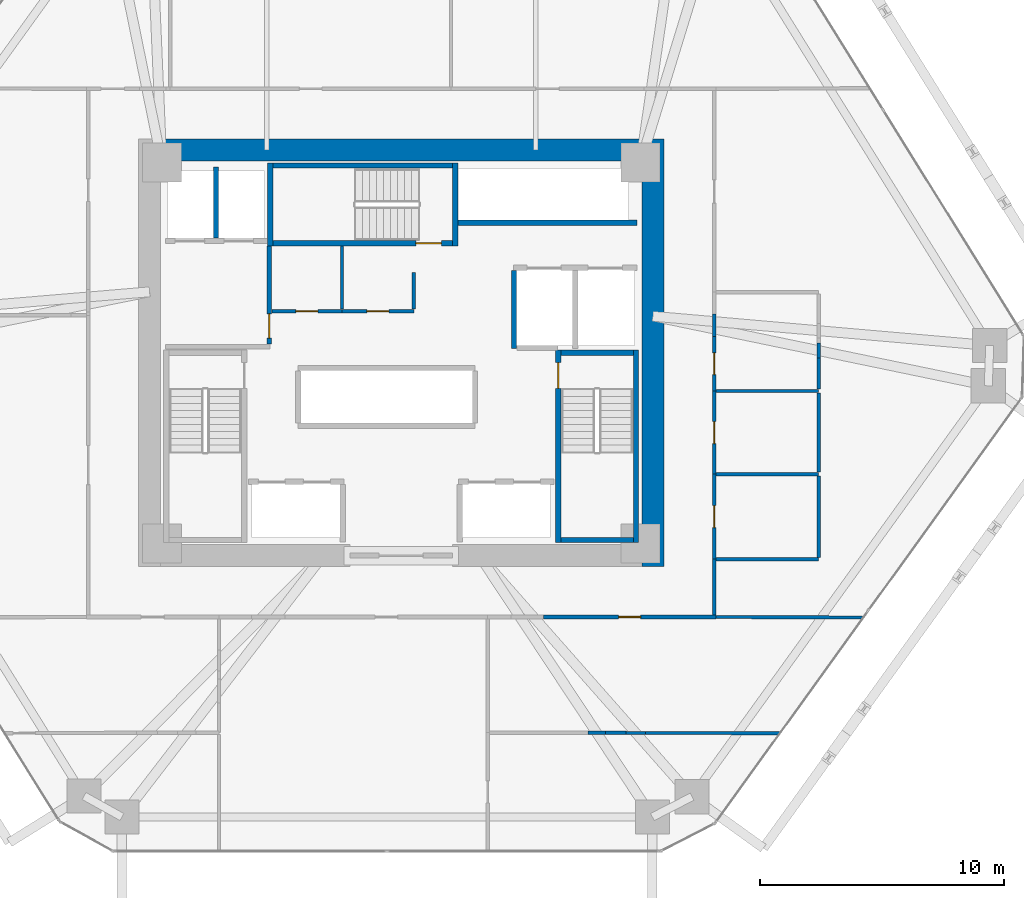
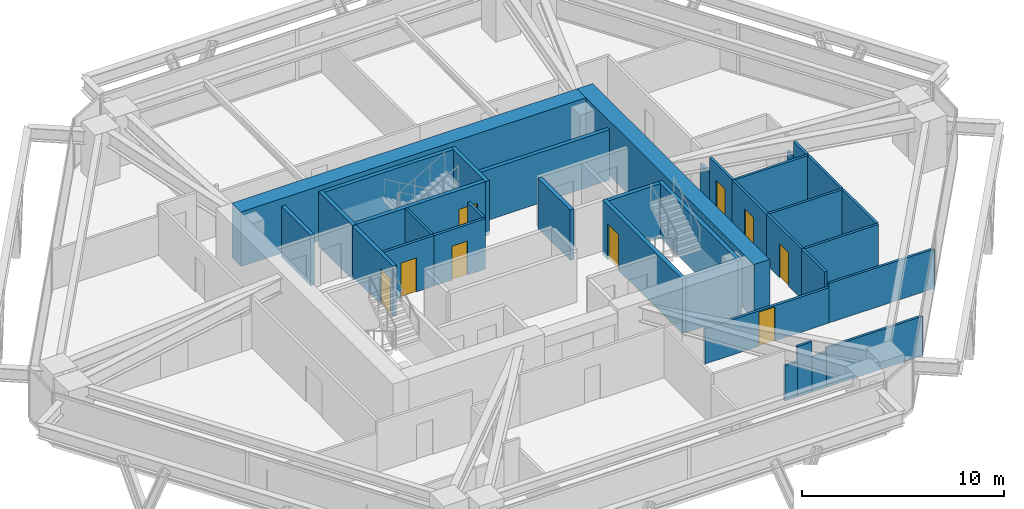
# One storey, part 12 of 14: 36 walls, 9 doors, 9 openings.
"""IFC4 building model written with IfcOpenShell, lengths in metres."""

from ifc_helpers import new_model, si_unit, direction, frame, frame_2d, origin, place, context, subcontext, project, spatial, rectangle, extrude, source, transform, mapped, material, layer, layer_set, type_object, type_shapes, element, fill, save


model = new_model("IFC4")

# Units and contexts
model_context = context("Model", 3, precision=1e-05, world=origin(), true_north=direction((0.0, 1.0)))
body_context = subcontext(model_context, "Body", "Model", "MODEL_VIEW")
ifc_project = project(units=[si_unit("LENGTHUNIT", "METRE"), si_unit("AREAUNIT", "SQUARE_METRE"), si_unit("VOLUMEUNIT", "CUBIC_METRE"), si_unit("PLANEANGLEUNIT", "RADIAN"), si_unit("MASSUNIT", "GRAM", prefix="KILO")], contexts=[model_context])

# Site, building, storey
site_placement = place(None, origin())
site = spatial("IfcSite", under=ifc_project, at=site_placement, CompositionType="ELEMENT")
building_placement = place(site_placement, origin())
building = spatial("IfcBuilding", under=site, at=building_placement, Name="Durnholm Broadcast Tower", CompositionType="ELEMENT")
storey_placement = place(building_placement, frame((0.0, 0.0, 48.89990234375)))
storey = spatial("IfcBuildingStorey", under=building, at=storey_placement, Name="L11", CompositionType="ELEMENT", Elevation=48.89990234375)

# Walls
ifc_material_1 = material(Name="Concrete C70/85", Category="concrete")
ifc_layer_1 = layer(ifc_material_1, 0.89990234375)
ifc_layer_set_1 = layer_set([ifc_layer_1], Name="Concrete C70/85")
wall_type_1 = type_object("IfcWallType", Name="WALL-CW-900", PredefinedType="SHEAR", material=ifc_layer_set_1)
wall_1_placement = place(storey_placement, frame((10.300048828125, -8.75, 0.0), z_axis=(0.0, 0.0, 1.0), x_axis=(0.0, 1.0, 0.0)))
element("IfcWall", 1, at=wall_1_placement, inside=storey, type_object=wall_type_1, Name="L11 central core shear wall CW-EAST", PredefinedType="SHEAR", context=body_context, shape_type="SweptSolid", body=[
    extrude(rectangle(XDim=17.5, YDim=0.89990234375, at=frame_2d((8.75, 0.0))), origin(), (0.0, 0.0, 1.0), 3.300048828125),
])
wall_2_placement = place(storey_placement, frame((-9.85009765625, 8.300048828125, 0.0), z_axis=(0.0, 0.0, 1.0), x_axis=(1.0, 0.0, 0.0)))
element("IfcWall", 2, at=wall_2_placement, inside=storey, type_object=wall_type_1, Name="L11 central core shear wall CW-N", PredefinedType="SHEAR", context=body_context, shape_type="SweptSolid", body=[
    extrude(rectangle(XDim=19.7001953125, YDim=0.89990234375, at=frame_2d((9.85009765625, 0.0))), origin(), (0.0, 0.0, 1.0), 3.300048828125),
])

# Wall, opening, door
ifc_material_2 = material(Name="Fire-Rated Gypsum Shaftwall", Category="concrete")
ifc_layer_2 = layer(ifc_material_2, 0.199951171875)
ifc_layer_set_2 = layer_set([ifc_layer_2], Name="Fire-Rated Gypsum Shaftwall")
wall_type_2 = type_object("IfcWallType", Name="WALL-LOB-200", PredefinedType="SOLIDWALL", material=ifc_layer_set_2)
wall_3_placement = place(storey_placement, frame((-5.39990234375, 0.35400390625, 0.0), z_axis=(0.0, 0.0, 1.0), x_axis=(0.0, 1.0, 0.0)))
wall_3 = element("IfcWall", 3, at=wall_3_placement, inside=storey, type_object=wall_type_2, Name="L11 Fire Service Access Elevator lobby east fire wall", PredefinedType="SOLIDWALL", context=body_context, shape_type="SweptSolid", body=[
    extrude(rectangle(XDim=4.02587890625, YDim=0.199951171875, at=frame_2d((2.012939453125, 0.0))), origin(), (0.0, 0.0, 1.0), 3.045166015625),
])
opening_1_placement = place(wall_3_placement, frame((0.24609375, 0.0, 0.0)))
opening_1 = element("IfcOpeningElement", 4, at=opening_1_placement, cuts=wall_3, Name="Opening DL-60R", PredefinedType="OPENING", context=body_context, shape_type="SweptSolid", body=[
    extrude(rectangle(XDim=1.0, YDim=2.14990234375, at=frame_2d((0.5, 1.074951171875))), frame((0.0, 0.10986328125, 0.0), z_axis=(0.0, -1.0, 0.0), x_axis=(1.0, 0.0, 0.0)), (0.0, 0.0, 1.0), 0.219970703125),
])
ifc_material_3 = material(Name="Fire-Rated Timber/Steel Door", Category="steel")
ifc_layer_3 = layer(ifc_material_3, 0.050048828125)
ifc_layer_set_3 = layer_set([ifc_layer_3], Name="Fire-Rated Timber/Steel Door")
door_type_1 = type_object("IfcDoorType", Name="DOOR-LOB-FD60-R", OperationType="NOTDEFINED", PredefinedType="DOOR", material=ifc_layer_set_3)
shared_shape_1 = source(origin(), body_context, "Body", "SweptSolid", [
    extrude(rectangle(XDim=1.0, YDim=2.14990234375, at=frame_2d((0.5, 1.074951171875))), frame((0.0, 0.02490234375, 0.0), z_axis=(0.0, -1.0, 0.0), x_axis=(1.0, 0.0, 0.0)), (0.0, 0.0, 1.0), 0.050048828125),
])
type_shapes(door_type_1, [shared_shape_1])
door_1_placement = place(opening_1_placement, origin())
door_1 = element("IfcDoor", 5, at=door_1_placement, inside=storey, type_object=door_type_1, Name="L11 Fire Service Access Elevator lobby smoke door", OperationType="SINGLE_SWING_RIGHT", OverallHeight=2.14990234375, OverallWidth=1.0, PredefinedType="DOOR", context=body_context, shape_type="MappedRepresentation", body=[
    mapped(shared_shape_1, transform((0.0, 0.0, 0.0), x_axis=(1.0, 0.0, 0.0), y_axis=(0.0, 1.0, 0.0), z_axis=(0.0, 0.0, 1.0), scale=1.0)),
])
fill(opening_1, door_1)

# Walls
ifc_material_4 = material(Name="Gypsum Metal Stud Partition", Category="concrete")
ifc_layer_4 = layer(ifc_material_4, 0.135009765625)
ifc_layer_set_4 = layer_set([ifc_layer_4], Name="Gypsum Metal Stud Partition")
wall_type_3 = type_object("IfcWallType", Name="WALL-PART-135", PredefinedType="PARTITIONING", material=ifc_layer_set_4)
wall_4_placement = place(storey_placement, frame((-2.419921875, 4.375, 0.0), z_axis=(0.0, 0.0, 1.0), x_axis=(0.0, -1.0, 0.0)))
element("IfcWall", 6, at=wall_4_placement, inside=storey, type_object=wall_type_3, Name="L11 room dividing partition 1.2", PredefinedType="PARTITIONING", context=body_context, shape_type="SweptSolid", body=[
    extrude(rectangle(XDim=2.5859375, YDim=0.135009765625, at=frame_2d((1.29296875, 0.0))), origin(), (0.0, 0.0, 1.0), 3.045166015625),
])
wall_5_placement = place(storey_placement, frame((8.3642578125, -15.554443359375, 0.0), z_axis=(0.0, 0.0, 1.0), x_axis=(0.999997907793, -0.002045583096, 0.0)))
element("IfcWall", 7, at=wall_5_placement, inside=storey, type_object=wall_type_3, Name="L11 room dividing partition 12.13", PredefinedType="PARTITIONING", context=body_context, shape_type="SweptSolid", body=[
    extrude(rectangle(XDim=0.83544921875, YDim=0.135009765625, at=frame_2d((0.417724609375, 0.0))), origin(), (0.0, 0.0, 1.0), 3.045166015625),
])
wall_6_placement = place(storey_placement, frame((10.006591796875, -15.5576171875, 0.0), z_axis=(0.0, 0.0, 1.0), x_axis=(0.999998093672, -0.00195260123, 0.0)))
element("IfcWall", 8, at=wall_6_placement, inside=storey, type_object=wall_type_3, Name="L11 room dividing partition 12.13", PredefinedType="PARTITIONING", context=body_context, shape_type="SweptSolid", body=[
    extrude(rectangle(XDim=5.50146484375, YDim=0.135009765625, at=frame_2d((2.750732421875, 0.0))), origin(), (0.0, 0.0, 1.0), 2.380126953125),
])
wall_7_placement = place(storey_placement, frame((7.638916015625, -15.552978515625, 0.0), z_axis=(0.0, 0.0, 1.0), x_axis=(0.999997960772, -0.002019517928, 0.0)))
element("IfcWall", 9, at=wall_7_placement, inside=storey, type_object=wall_type_3, Name="L11 room dividing partition 12.13", PredefinedType="PARTITIONING", context=body_context, shape_type="SweptSolid", body=[
    extrude(rectangle(XDim=0.725341796875, YDim=0.135009765625, at=frame_2d((0.36279296875, 0.0))), origin(), (0.0, 0.0, 1.0), 2.130126953125),
])
wall_8_placement = place(storey_placement, frame((9.19970703125, -15.55615234375, 0.0), z_axis=(0.0, 0.0, 1.0), x_axis=(0.999998352109, -0.001815428173, 0.0)))
element("IfcWall", 10, at=wall_8_placement, inside=storey, type_object=wall_type_3, Name="L11 room dividing partition 12.13", PredefinedType="PARTITIONING", context=body_context, shape_type="SweptSolid", body=[
    extrude(rectangle(XDim=0.806884765625, YDim=0.135009765625, at=frame_2d((0.4033203125, 0.0))), origin(), (0.0, 0.0, 1.0), 2.130126953125),
])
wall_9_placement = place(storey_placement, frame((12.889892578125, -10.810302734375, 0.0), z_axis=(0.0, 0.0, 1.0), x_axis=(0.999992607823, -0.003845035728, 0.0)))
element("IfcWall", 11, at=wall_9_placement, inside=storey, type_object=wall_type_3, Name="L11 room dividing partition 13.16", PredefinedType="PARTITIONING", context=body_context, shape_type="SweptSolid", body=[
    extrude(rectangle(XDim=6.031982421875, YDim=0.135009765625, at=frame_2d((3.01611328125, 0.0))), origin(), (0.0, 0.0, 1.0), 2.380126953125),
])

# Wall, opening, door
ifc_material_5 = material(Name="Acoustic Gypsum Stud Partition", Category="concrete")
ifc_layer_5 = layer(ifc_material_5, 0.14990234375)
ifc_layer_set_5 = layer_set([ifc_layer_5], Name="Acoustic Gypsum Stud Partition")
wall_type_4 = type_object("IfcWallType", Name="WALL-PART-150", PredefinedType="PARTITIONING", material=ifc_layer_set_5)
wall_10_placement = place(storey_placement, frame((-2.419921875, 1.7099609375, 0.0), z_axis=(0.0, 0.0, 1.0), x_axis=(-1.0, 0.0, 0.0)))
wall_10 = element("IfcWall", 12, at=wall_10_placement, inside=storey, type_object=wall_type_4, Name="L11 Core Equipment Store corridor partition", PredefinedType="PARTITIONING", context=body_context, shape_type="SweptSolid", body=[
    extrude(rectangle(XDim=2.8759765625, YDim=0.14990234375, at=frame_2d((1.43798828125, 0.0))), origin(), (0.0, 0.0, 1.0), 3.045166015625),
])
opening_2_placement = place(wall_10_placement, frame((0.988037109375, 0.0, 0.0)))
opening_2 = element("IfcOpeningElement", 13, at=opening_2_placement, cuts=wall_10, Name="Opening DC-60R", PredefinedType="OPENING", context=body_context, shape_type="SweptSolid", body=[
    extrude(rectangle(XDim=0.89990234375, YDim=2.050048828125, at=frame_2d((0.449951171875, 1.02490234375))), frame((0.0, 0.0849609375, 0.0), z_axis=(0.0, -1.0, 0.0), x_axis=(1.0, 0.0, 0.0)), (0.0, 0.0, 1.0), 0.169921875),
])
ifc_material_6 = material(Name="Fire-Rated Core Service Door", Category="steel")
ifc_layer_6 = layer(ifc_material_6, 0.050048828125)
ifc_layer_set_6 = layer_set([ifc_layer_6], Name="Fire-Rated Core Service Door")
door_type_2 = type_object("IfcDoorType", Name="DOOR-CORE-FD60-R", OperationType="NOTDEFINED", PredefinedType="DOOR", material=ifc_layer_set_6)
shared_shape_2 = source(origin(), body_context, "Body", "SweptSolid", [
    extrude(rectangle(XDim=0.89990234375, YDim=2.050048828125, at=frame_2d((0.449951171875, 1.02490234375))), frame((0.0, 0.02490234375, 0.0), z_axis=(0.0, -1.0, 0.0), x_axis=(1.0, 0.0, 0.0)), (0.0, 0.0, 1.0), 0.050048828125),
])
type_shapes(door_type_2, [shared_shape_2])
door_2_placement = place(opening_2_placement, origin())
door_2 = element("IfcDoor", 14, at=door_2_placement, inside=storey, type_object=door_type_2, Name="L11 Core Equipment Store entrance door", OperationType="SINGLE_SWING_RIGHT", OverallHeight=2.050048828125, OverallWidth=0.89990234375, PredefinedType="DOOR", context=body_context, shape_type="MappedRepresentation", body=[
    mapped(shared_shape_2, transform((0.0, 0.0, 0.0), x_axis=(1.0, 0.0, 0.0), y_axis=(0.0, 1.0, 0.0), z_axis=(0.0, 0.0, 1.0), scale=1.0)),
])
fill(opening_2, door_2)

wall_11_placement = place(storey_placement, frame((0.52001953125, 1.7099609375, 0.0), z_axis=(0.0, 0.0, 1.0), x_axis=(-1.0, 0.0, 0.0)))
wall_11 = element("IfcWall", 15, at=wall_11_placement, inside=storey, type_object=wall_type_4, Name="L11 Core Mail and Supply Room corridor partition", PredefinedType="PARTITIONING", context=body_context, shape_type="SweptSolid", body=[
    extrude(rectangle(XDim=2.93994140625, YDim=0.14990234375, at=frame_2d((1.469970703125, 0.0))), origin(), (0.0, 0.0, 1.0), 3.045166015625),
])
opening_3_placement = place(wall_11_placement, frame((1.02001953125, 0.0, 0.0)))
opening_3 = element("IfcOpeningElement", 16, at=opening_3_placement, cuts=wall_11, Name="Opening DC-60L", PredefinedType="OPENING", context=body_context, shape_type="SweptSolid", body=[
    extrude(rectangle(XDim=0.89990234375, YDim=2.050048828125, at=frame_2d((0.449951171875, 1.02490234375))), frame((0.0, 0.0849609375, 0.0), z_axis=(0.0, -1.0, 0.0), x_axis=(1.0, 0.0, 0.0)), (0.0, 0.0, 1.0), 0.169921875),
])
ifc_layer_7 = layer(ifc_material_6, 0.050048828125)
ifc_layer_set_7 = layer_set([ifc_layer_7], Name="Fire-Rated Core Service Door")
door_type_3 = type_object("IfcDoorType", Name="DOOR-CORE-FD60-L", OperationType="NOTDEFINED", PredefinedType="DOOR", material=ifc_layer_set_7)
shared_shape_3 = source(origin(), body_context, "Body", "SweptSolid", [
    extrude(rectangle(XDim=0.89990234375, YDim=2.050048828125, at=frame_2d((0.449951171875, 1.02490234375))), frame((0.0, 0.02490234375, 0.0), z_axis=(0.0, -1.0, 0.0), x_axis=(1.0, 0.0, 0.0)), (0.0, 0.0, 1.0), 0.050048828125),
])
type_shapes(door_type_3, [shared_shape_3])
door_3_placement = place(opening_3_placement, origin())
door_3 = element("IfcDoor", 17, at=door_3_placement, inside=storey, type_object=door_type_3, Name="L11 Core Mail and Supply Room entrance door", OperationType="SINGLE_SWING_LEFT", OverallHeight=2.050048828125, OverallWidth=0.89990234375, PredefinedType="DOOR", context=body_context, shape_type="MappedRepresentation", body=[
    mapped(shared_shape_3, transform((0.0, 0.0, 0.0), x_axis=(1.0, 0.0, 0.0), y_axis=(0.0, 1.0, 0.0), z_axis=(0.0, 0.0, 1.0), scale=1.0)),
])
fill(opening_3, door_3)

# Wall
wall_12_placement = place(storey_placement, frame((0.52001953125, 3.300048828125, 0.0), z_axis=(0.0, 0.0, 1.0), x_axis=(0.0, -1.0, 0.0)))
element("IfcWall", 18, at=wall_12_placement, inside=storey, type_object=wall_type_4, Name="L11 Core Mail and Supply Room corridor partition", PredefinedType="PARTITIONING", context=body_context, shape_type="SweptSolid", body=[
    extrude(rectangle(XDim=1.510986328125, YDim=0.14990234375, at=frame_2d((0.75537109375, 0.0))), origin(), (0.0, 0.0, 1.0), 3.045166015625),
])

# Wall, opening, door
wall_13_placement = place(storey_placement, frame((5.8173828125, -10.81005859375, 0.0), z_axis=(0.0, 0.0, 1.0), x_axis=(1.0, 0.0, 0.0)))
wall_13 = element("IfcWall", 19, at=wall_13_placement, inside=storey, type_object=wall_type_4, Name="L11 Equipment Store corridor partition", PredefinedType="PARTITIONING", context=body_context, shape_type="SweptSolid", body=[
    extrude(rectangle(XDim=7.072509765625, YDim=0.14990234375, at=frame_2d((3.5361328125, 0.0))), origin(), (0.0, 0.0, 1.0), 2.130126953125),
])
opening_4_placement = place(wall_13_placement, frame((3.086181640625, 0.0, 0.0)))
opening_4 = element("IfcOpeningElement", 20, at=opening_4_placement, cuts=wall_13, Name="Opening DC-60L", PredefinedType="OPENING", context=body_context, shape_type="SweptSolid", body=[
    extrude(rectangle(XDim=0.89990234375, YDim=2.050048828125, at=frame_2d((0.449951171875, 1.02490234375))), frame((0.0, 0.0849609375, 0.0), z_axis=(0.0, -1.0, 0.0), x_axis=(1.0, 0.0, 0.0)), (0.0, 0.0, 1.0), 0.169921875),
])
door_4_placement = place(opening_4_placement, origin())
door_4 = element("IfcDoor", 21, at=door_4_placement, inside=storey, type_object=door_type_3, Name="L11 Equipment Store entrance door", OperationType="SINGLE_SWING_LEFT", OverallHeight=2.050048828125, OverallWidth=0.89990234375, PredefinedType="DOOR", context=body_context, shape_type="MappedRepresentation", body=[
    mapped(shared_shape_3, transform((0.0, 0.0, 0.0), x_axis=(1.0, 0.0, 0.0), y_axis=(0.0, 1.0, 0.0), z_axis=(0.0, 0.0, 1.0), scale=1.0)),
])
fill(opening_4, door_4)

# Walls
wall_14_placement = place(storey_placement, frame((12.81005859375, -10.73095703125, 0.0), z_axis=(0.0, 0.0, 1.0), x_axis=(0.0, 1.0, 0.0)))
element("IfcWall", 22, at=wall_14_placement, inside=storey, type_object=wall_type_4, Name="L11 Production Meeting Room corridor partition", PredefinedType="PARTITIONING", context=body_context, shape_type="SweptSolid", body=[
    extrude(rectangle(XDim=2.291015625, YDim=0.14990234375, at=frame_2d((1.1455078125, 0.0))), origin(), (0.0, 0.0, 1.0), 3.045166015625),
])
ifc_material_7 = material(Name="Concrete Blockwork C30/37", Category="masonry")
ifc_layer_8 = layer(ifc_material_7, 0.219970703125)
ifc_layer_set_8 = layer_set([ifc_layer_8], Name="Concrete Blockwork C30/37")
wall_type_5 = type_object("IfcWallType", Name="WALL-SHAFT-220", PredefinedType="SOLIDWALL", material=ifc_layer_set_8)
wall_15_placement = place(storey_placement, frame((-7.580078125, 4.694091796875, 0.0), z_axis=(0.0, 0.0, 1.0), x_axis=(0.0, 1.0, 0.0)))
element("IfcWall", 23, at=wall_15_placement, inside=storey, type_object=wall_type_5, Name="L11 FSAE shaft divider wall", PredefinedType="SOLIDWALL", context=body_context, shape_type="SweptSolid", body=[
    extrude(rectangle(XDim=2.906005859375, YDim=0.219970703125, at=frame_2d((1.453125, 0.0))), origin(), (0.0, 0.0, 1.0), 3.045166015625),
])
wall_16_placement = place(storey_placement, frame((4.6201171875, 0.179931640625, 0.0), z_axis=(0.0, 0.0, 1.0), x_axis=(0.0, 1.0, 0.0)))
element("IfcWall", 24, at=wall_16_placement, inside=storey, type_object=wall_type_5, Name="L11 freight service lift SVL-2 west wall", PredefinedType="SOLIDWALL", context=body_context, shape_type="SweptSolid", body=[
    extrude(rectangle(XDim=3.18603515625, YDim=0.219970703125, at=frame_2d((1.593017578125, 0.0))), origin(), (0.0, 0.0, 1.0), 3.045166015625),
])
wall_17_placement = place(storey_placement, frame((2.324951171875, 5.320068359375, 0.0), z_axis=(0.0, 0.0, 1.0), x_axis=(1.0, 0.0, 0.0)))
element("IfcWall", 25, at=wall_17_placement, inside=storey, type_object=wall_type_5, Name="L11 high-rise bank P3 south front wall", PredefinedType="SOLIDWALL", context=body_context, shape_type="SweptSolid", body=[
    extrude(rectangle(XDim=7.324951171875, YDim=0.219970703125, at=frame_2d((3.66259765625, 0.0))), origin(), (0.0, 0.0, 1.0), 3.045166015625),
])
ifc_material_8 = material(Name="Concrete C50/60", Category="concrete")
ifc_layer_9 = layer(ifc_material_8, 0.219970703125)
ifc_layer_set_9 = layer_set([ifc_layer_9], Name="Concrete C50/60")
wall_type_6 = type_object("IfcWallType", Name="WALL-SW-220", PredefinedType="SHEAR", material=ifc_layer_set_9)
wall_18_placement = place(storey_placement, frame((9.610107421875, -7.77001953125, -0.239990234375), z_axis=(0.0, 0.0, 1.0), x_axis=(0.0, 1.0, 0.0)))
element("IfcWall", 26, at=wall_18_placement, inside=storey, type_object=wall_type_6, Name="L11 stair ST-2 structural shaft wall E", PredefinedType="SHEAR", context=body_context, shape_type="SweptSolid", body=[
    extrude(rectangle(XDim=7.89013671875, YDim=0.219970703125, at=frame_2d((3.945068359375, 0.0))), origin(), (0.0, 0.0, 1.0), 3.300048828125),
])

# Wall, opening, door
wall_19_placement = place(storey_placement, frame((6.429931640625, 0.1201171875, -0.239990234375), z_axis=(0.0, 0.0, 1.0), x_axis=(0.0, -1.0, 0.0)))
wall_19 = element("IfcWall", 27, at=wall_19_placement, inside=storey, type_object=wall_type_6, Name="L11 stair ST-2 structural shaft wall W", PredefinedType="SHEAR", context=body_context, shape_type="SweptSolid", body=[
    extrude(rectangle(XDim=7.89013671875, YDim=0.219970703125, at=frame_2d((3.945068359375, 0.0))), origin(), (0.0, 0.0, 1.0), 3.300048828125),
])
opening_5_placement = place(wall_19_placement, frame((0.52001953125, 0.0, 0.0)))
opening_5 = element("IfcOpeningElement", 28, at=opening_5_placement, cuts=wall_19, Name="Opening DS-90R", PredefinedType="OPENING", context=body_context, shape_type="SweptSolid", body=[
    extrude(rectangle(XDim=1.050048828125, YDim=2.14990234375, at=frame_2d((0.52490234375, 1.074951171875))), frame((0.0, 0.1201171875, 0.0), z_axis=(0.0, -1.0, 0.0), x_axis=(1.0, 0.0, 0.0)), (0.0, 0.0, 1.0), 0.239990234375),
])
ifc_material_9 = material(Name="Fire-Rated Steel Door", Category="steel")
ifc_layer_10 = layer(ifc_material_9, 0.050048828125)
ifc_layer_set_10 = layer_set([ifc_layer_10], Name="Fire-Rated Steel Door")
door_type_4 = type_object("IfcDoorType", Name="DOOR-ST-FD90-R", OperationType="NOTDEFINED", PredefinedType="DOOR", material=ifc_layer_set_10)
shared_shape_4 = source(origin(), body_context, "Body", "SweptSolid", [
    extrude(rectangle(XDim=1.050048828125, YDim=2.14990234375, at=frame_2d((0.52490234375, 1.074951171875))), frame((0.0, 0.02490234375, 0.0), z_axis=(0.0, -1.0, 0.0), x_axis=(1.0, 0.0, 0.0)), (0.0, 0.0, 1.0), 0.050048828125),
])
type_shapes(door_type_4, [shared_shape_4])
door_5_placement = place(opening_5_placement, origin())
door_5 = element("IfcDoor", 29, at=door_5_placement, inside=storey, type_object=door_type_4, Name="L11 exit stair ST-2 fire door", OperationType="SINGLE_SWING_RIGHT", OverallHeight=2.14990234375, OverallWidth=1.050048828125, PredefinedType="DOOR", context=body_context, shape_type="MappedRepresentation", body=[
    mapped(shared_shape_4, transform((0.0, 0.0, 0.0), x_axis=(1.0, 0.0, 0.0), y_axis=(0.0, 1.0, 0.0), z_axis=(0.0, 0.0, 1.0), scale=1.0)),
])
fill(opening_5, door_5)

# Walls
for number, where, z_axis, x_axis, name in (
    (30, (6.5400390625, -7.659912109375, -0.239990234375), (0.0, 0.0, 1.0), (1.0, 0.0, 0.0), "L11 stair ST-2 structural shaft wall S"),
    (31, (9.5, 0.010009765625, -0.239990234375), (0.0, 0.0, 1.0), (-1.0, 0.0, 0.0), "L11 stair ST-2 structural shaft wall N"),
):
    element("IfcWall", number, at=place(storey_placement, frame(where, z_axis=z_axis, x_axis=x_axis)), inside=storey, type_object=wall_type_6, Name=name, PredefinedType="SHEAR", context=body_context, shape_type="SweptSolid", body=[
        extrude(rectangle(XDim=2.9599609375, YDim=0.219970703125, at=frame_2d((1.47998046875, 0.0))), origin(), (0.0, 0.0, 1.0), 3.300048828125),
    ])
for number, where, z_axis, x_axis, name in (
    (32, (2.2099609375, 4.3798828125, -0.239990234375), (0.0, 0.0, 1.0), (0.0, 1.0, 0.0), "L11 stair ST-3 structural shaft wall E"),
    (33, (-5.360107421875, 7.780029296875, -0.239990234375), (0.0, 0.0, 1.0), (0.0, -1.0, 0.0), "L11 stair ST-3 structural shaft wall W"),
):
    element("IfcWall", number, at=place(storey_placement, frame(where, z_axis=z_axis, x_axis=x_axis)), inside=storey, type_object=wall_type_6, Name=name, PredefinedType="SHEAR", context=body_context, shape_type="SweptSolid", body=[
        extrude(rectangle(XDim=3.400146484375, YDim=0.219970703125, at=frame_2d((1.7001953125, 0.0))), origin(), (0.0, 0.0, 1.0), 3.300048828125),
    ])

# Wall, opening, door
wall_20_placement = place(storey_placement, frame((-5.25, 4.489990234375, -0.239990234375), z_axis=(0.0, 0.0, 1.0), x_axis=(1.0, 0.0, 0.0)))
wall_20 = element("IfcWall", 34, at=wall_20_placement, inside=storey, type_object=wall_type_6, Name="L11 stair ST-3 structural shaft wall S", PredefinedType="SHEAR", context=body_context, shape_type="SweptSolid", body=[
    extrude(rectangle(XDim=7.35009765625, YDim=0.219970703125, at=frame_2d((3.675048828125, 0.0))), origin(), (0.0, 0.0, 1.0), 3.300048828125),
])
opening_6_placement = place(wall_20_placement, frame((5.85009765625, 0.0, 0.0)))
opening_6 = element("IfcOpeningElement", 35, at=opening_6_placement, cuts=wall_20, Name="Opening DS-90L", PredefinedType="OPENING", context=body_context, shape_type="SweptSolid", body=[
    extrude(rectangle(XDim=1.050048828125, YDim=2.14990234375, at=frame_2d((0.52490234375, 1.074951171875))), frame((0.0, 0.1201171875, 0.0), z_axis=(0.0, -1.0, 0.0), x_axis=(1.0, 0.0, 0.0)), (0.0, 0.0, 1.0), 0.239990234375),
])
ifc_layer_11 = layer(ifc_material_9, 0.050048828125)
ifc_layer_set_11 = layer_set([ifc_layer_11], Name="Fire-Rated Steel Door")
door_type_5 = type_object("IfcDoorType", Name="DOOR-ST-FD90-L", OperationType="NOTDEFINED", PredefinedType="DOOR", material=ifc_layer_set_11)
shared_shape_5 = source(origin(), body_context, "Body", "SweptSolid", [
    extrude(rectangle(XDim=1.050048828125, YDim=2.14990234375, at=frame_2d((0.52490234375, 1.074951171875))), frame((0.0, 0.02490234375, 0.0), z_axis=(0.0, -1.0, 0.0), x_axis=(1.0, 0.0, 0.0)), (0.0, 0.0, 1.0), 0.050048828125),
])
type_shapes(door_type_5, [shared_shape_5])
door_6_placement = place(opening_6_placement, origin())
door_6 = element("IfcDoor", 36, at=door_6_placement, inside=storey, type_object=door_type_5, Name="L11 exit stair ST-3 fire door", OperationType="SINGLE_SWING_LEFT", OverallHeight=2.14990234375, OverallWidth=1.050048828125, PredefinedType="DOOR", context=body_context, shape_type="MappedRepresentation", body=[
    mapped(shared_shape_5, transform((0.0, 0.0, 0.0), x_axis=(1.0, 0.0, 0.0), y_axis=(0.0, 1.0, 0.0), z_axis=(0.0, 0.0, 1.0), scale=1.0)),
])
fill(opening_6, door_6)

# Wall
wall_21_placement = place(storey_placement, frame((2.10009765625, 7.669921875, -0.239990234375), z_axis=(0.0, 0.0, 1.0), x_axis=(-1.0, 0.0, 0.0)))
element("IfcWall", 37, at=wall_21_placement, inside=storey, type_object=wall_type_6, Name="L11 stair ST-3 structural shaft wall N", PredefinedType="SHEAR", context=body_context, shape_type="SweptSolid", body=[
    extrude(rectangle(XDim=7.35009765625, YDim=0.219970703125, at=frame_2d((3.675048828125, 0.0))), origin(), (0.0, 0.0, 1.0), 3.300048828125),
])

# Wall, opening, door
ifc_material_10 = material(Name="Moisture-Resistant Tile Partition", Category="concrete")
ifc_layer_12 = layer(ifc_material_10, 0.139892578125)
ifc_layer_set_12 = layer_set([ifc_layer_12], Name="Moisture-Resistant Tile Partition")
wall_type_7 = type_object("IfcWallType", Name="WALL-WC-140", PredefinedType="PARTITIONING", material=ifc_layer_set_12)
wall_22_placement = place(storey_placement, frame((12.81005859375, -8.43994140625, 0.0), z_axis=(0.0, 0.0, 1.0), x_axis=(0.0, 1.0, 0.0)))
wall_22 = element("IfcWall", 38, at=wall_22_placement, inside=storey, type_object=wall_type_7, Name="L11 Men's Restroom corridor partition", PredefinedType="PARTITIONING", context=body_context, shape_type="SweptSolid", body=[
    extrude(rectangle(XDim=3.47998046875, YDim=0.139892578125, at=frame_2d((1.739990234375, 0.0))), origin(), (0.0, 0.0, 1.0), 3.045166015625),
])
opening_7_placement = place(wall_22_placement, frame((1.2900390625, 0.0, 0.0)))
opening_7 = element("IfcOpeningElement", 39, at=opening_7_placement, cuts=wall_22, Name="Opening DW-90R", PredefinedType="OPENING", context=body_context, shape_type="SweptSolid", body=[
    extrude(rectangle(XDim=0.89990234375, YDim=2.050048828125, at=frame_2d((0.449951171875, 1.02490234375))), frame((0.0, 0.080078125, 0.0), z_axis=(0.0, -1.0, 0.0), x_axis=(1.0, 0.0, 0.0)), (0.0, 0.0, 1.0), 0.159912109375),
])
ifc_material_11 = material(Name="Laminate Restroom Door", Category="steel")
ifc_layer_13 = layer(ifc_material_11, 0.050048828125)
ifc_layer_set_13 = layer_set([ifc_layer_13], Name="Laminate Restroom Door")
door_type_6 = type_object("IfcDoorType", Name="DOOR-WC-900R", OperationType="NOTDEFINED", PredefinedType="DOOR", material=ifc_layer_set_13)
shared_shape_6 = source(origin(), body_context, "Body", "SweptSolid", [
    extrude(rectangle(XDim=0.89990234375, YDim=2.050048828125, at=frame_2d((0.449951171875, 1.02490234375))), frame((0.0, 0.02490234375, 0.0), z_axis=(0.0, -1.0, 0.0), x_axis=(1.0, 0.0, 0.0)), (0.0, 0.0, 1.0), 0.050048828125),
])
type_shapes(door_type_6, [shared_shape_6])
door_7_placement = place(opening_7_placement, origin())
door_7 = element("IfcDoor", 40, at=door_7_placement, inside=storey, type_object=door_type_6, Name="L11 Men's Restroom entrance door", OperationType="SINGLE_SWING_RIGHT", OverallHeight=2.050048828125, OverallWidth=0.89990234375, PredefinedType="DOOR", context=body_context, shape_type="MappedRepresentation", body=[
    mapped(shared_shape_6, transform((0.0, 0.0, 0.0), x_axis=(1.0, 0.0, 0.0), y_axis=(0.0, 1.0, 0.0), z_axis=(0.0, 0.0, 1.0), scale=1.0)),
])
fill(opening_7, door_7)

wall_23_placement = place(storey_placement, frame((12.81005859375, -4.9599609375, 0.0), z_axis=(0.0, 0.0, 1.0), x_axis=(0.0, 1.0, 0.0)))
wall_23 = element("IfcWall", 41, at=wall_23_placement, inside=storey, type_object=wall_type_7, Name="L11 Women's Restroom corridor partition", PredefinedType="PARTITIONING", context=body_context, shape_type="SweptSolid", body=[
    extrude(rectangle(XDim=3.39990234375, YDim=0.139892578125, at=frame_2d((1.699951171875, 0.0))), origin(), (0.0, 0.0, 1.0), 3.045166015625),
])
opening_8_placement = place(wall_23_placement, frame((1.25, 0.0, 0.0)))
opening_8 = element("IfcOpeningElement", 42, at=opening_8_placement, cuts=wall_23, Name="Opening DW-90L", PredefinedType="OPENING", context=body_context, shape_type="SweptSolid", body=[
    extrude(rectangle(XDim=0.89990234375, YDim=2.050048828125, at=frame_2d((0.449951171875, 1.02490234375))), frame((0.0, 0.080078125, 0.0), z_axis=(0.0, -1.0, 0.0), x_axis=(1.0, 0.0, 0.0)), (0.0, 0.0, 1.0), 0.159912109375),
])
ifc_layer_14 = layer(ifc_material_11, 0.050048828125)
ifc_layer_set_14 = layer_set([ifc_layer_14], Name="Laminate Restroom Door")
door_type_7 = type_object("IfcDoorType", Name="DOOR-WC-900L", OperationType="NOTDEFINED", PredefinedType="DOOR", material=ifc_layer_set_14)
shared_shape_7 = source(origin(), body_context, "Body", "SweptSolid", [
    extrude(rectangle(XDim=0.89990234375, YDim=2.050048828125, at=frame_2d((0.449951171875, 1.02490234375))), frame((0.0, 0.02490234375, 0.0), z_axis=(0.0, -1.0, 0.0), x_axis=(1.0, 0.0, 0.0)), (0.0, 0.0, 1.0), 0.050048828125),
])
type_shapes(door_type_7, [shared_shape_7])
door_8_placement = place(opening_8_placement, origin())
door_8 = element("IfcDoor", 43, at=door_8_placement, inside=storey, type_object=door_type_7, Name="L11 Women's Restroom entrance door", OperationType="SINGLE_SWING_LEFT", OverallHeight=2.050048828125, OverallWidth=0.89990234375, PredefinedType="DOOR", context=body_context, shape_type="MappedRepresentation", body=[
    mapped(shared_shape_7, transform((0.0, 0.0, 0.0), x_axis=(1.0, 0.0, 0.0), y_axis=(0.0, 1.0, 0.0), z_axis=(0.0, 0.0, 1.0), scale=1.0)),
])
fill(opening_8, door_8)

wall_24_placement = place(storey_placement, frame((12.81005859375, -1.56005859375, 0.0), z_axis=(0.0, 0.0, 1.0), x_axis=(0.0, 1.0, 0.0)))
wall_24 = element("IfcWall", 44, at=wall_24_placement, inside=storey, type_object=wall_type_7, Name="L11 Accessible Restroom corridor partition", PredefinedType="PARTITIONING", context=body_context, shape_type="SweptSolid", body=[
    extrude(rectangle(XDim=2.231201171875, YDim=0.139892578125, at=frame_2d((1.11572265625, 0.0))), origin(), (0.0, 0.0, 1.0), 3.045166015625),
])
opening_9_placement = place(wall_24_placement, frame((0.66552734375, 0.0, 0.0)))
opening_9 = element("IfcOpeningElement", 45, at=opening_9_placement, cuts=wall_24, Name="Opening DW-90R", PredefinedType="OPENING", context=body_context, shape_type="SweptSolid", body=[
    extrude(rectangle(XDim=0.89990234375, YDim=2.050048828125, at=frame_2d((0.449951171875, 1.02490234375))), frame((0.0, 0.080078125, 0.0), z_axis=(0.0, -1.0, 0.0), x_axis=(1.0, 0.0, 0.0)), (0.0, 0.0, 1.0), 0.159912109375),
])
door_9_placement = place(opening_9_placement, origin())
door_9 = element("IfcDoor", 46, at=door_9_placement, inside=storey, type_object=door_type_6, Name="L11 Accessible Restroom entrance door", OperationType="SINGLE_SWING_RIGHT", OverallHeight=2.050048828125, OverallWidth=0.89990234375, PredefinedType="DOOR", context=body_context, shape_type="MappedRepresentation", body=[
    mapped(shared_shape_6, transform((0.0, 0.0, 0.0), x_axis=(1.0, 0.0, 0.0), y_axis=(0.0, 1.0, 0.0), z_axis=(0.0, 0.0, 1.0), scale=1.0)),
])
fill(opening_9, door_9)

# Walls
wall_25_placement = place(storey_placement, frame((12.81005859375, 0.671142578125, 0.0), z_axis=(0.0, 0.0, 1.0), x_axis=(0.0, 1.0, 0.0)))
element("IfcWall", 47, at=wall_25_placement, inside=storey, type_object=wall_type_7, Name="L11 Accessible Restroom corridor partition", PredefinedType="PARTITIONING", context=body_context, shape_type="SweptSolid", body=[
    extrude(rectangle(XDim=0.91357421875, YDim=0.139892578125, at=frame_2d((0.456787109375, 0.0))), origin(), (0.0, 0.0, 1.0), 2.130126953125),
])
wall_26_placement = place(storey_placement, frame((12.884033203125, -4.9599609375, 0.0), z_axis=(0.0, 0.0, 1.0), x_axis=(1.0, 0.0, 0.0)))
element("IfcWall", 48, at=wall_26_placement, inside=storey, type_object=wall_type_7, Name="L11 room dividing partition 3.4", PredefinedType="PARTITIONING", context=body_context, shape_type="SweptSolid", body=[
    extrude(rectangle(XDim=4.2060546875, YDim=0.139892578125, at=frame_2d((2.10302734375, 0.0))), origin(), (0.0, 0.0, 1.0), 3.045166015625),
])
wall_27_placement = place(storey_placement, frame((17.090087890625, -8.43994140625, 0.0), z_axis=(0.0, 0.0, 1.0), x_axis=(-1.0, 0.0, 0.0)))
element("IfcWall", 49, at=wall_27_placement, inside=storey, type_object=wall_type_7, Name="L11 room dividing partition 3.16", PredefinedType="PARTITIONING", context=body_context, shape_type="SweptSolid", body=[
    extrude(rectangle(XDim=4.201171875, YDim=0.139892578125, at=frame_2d((2.1005859375, 0.0))), origin(), (0.0, 0.0, 1.0), 3.045166015625),
])
wall_28_placement = place(storey_placement, frame((17.090087890625, -5.033935546875, 0.0), z_axis=(0.0, 0.0, 1.0), x_axis=(0.0, -1.0, 0.0)))
element("IfcWall", 50, at=wall_28_placement, inside=storey, type_object=wall_type_7, Name="L11 room dividing partition 3.16", PredefinedType="PARTITIONING", context=body_context, shape_type="SweptSolid", body=[
    extrude(rectangle(XDim=3.33203125, YDim=0.139892578125, at=frame_2d((1.666015625, 0.0))), origin(), (0.0, 0.0, 1.0), 3.045166015625),
])
wall_29_placement = place(storey_placement, frame((12.884033203125, -1.56005859375, 0.0), z_axis=(0.0, 0.0, 1.0), x_axis=(1.0, 0.0, 0.0)))
element("IfcWall", 51, at=wall_29_placement, inside=storey, type_object=wall_type_7, Name="L11 room dividing partition 4.5", PredefinedType="PARTITIONING", context=body_context, shape_type="SweptSolid", body=[
    extrude(rectangle(XDim=4.2060546875, YDim=0.139892578125, at=frame_2d((2.10302734375, 0.0))), origin(), (0.0, 0.0, 1.0), 3.045166015625),
])
wall_30_placement = place(storey_placement, frame((17.090087890625, -1.634033203125, 0.0), z_axis=(0.0, 0.0, 1.0), x_axis=(0.0, -1.0, 0.0)))
element("IfcWall", 52, at=wall_30_placement, inside=storey, type_object=wall_type_7, Name="L11 room dividing partition 4.16", PredefinedType="PARTITIONING", context=body_context, shape_type="SweptSolid", body=[
    extrude(rectangle(XDim=3.251953125, YDim=0.139892578125, at=frame_2d((1.6259765625, 0.0))), origin(), (0.0, 0.0, 1.0), 3.045166015625),
])
wall_31_placement = place(storey_placement, frame((17.090087890625, -0.216064453125, 0.0), z_axis=(0.0, 0.0, 1.0), x_axis=(0.0, -1.0, 0.0)))
element("IfcWall", 53, at=wall_31_placement, inside=storey, type_object=wall_type_7, Name="L11 room dividing partition 5.16", PredefinedType="PARTITIONING", context=body_context, shape_type="SweptSolid", body=[
    extrude(rectangle(XDim=1.27001953125, YDim=0.139892578125, at=frame_2d((0.635009765625, 0.0))), origin(), (0.0, 0.0, 1.0), 3.045166015625),
])
wall_32_placement = place(storey_placement, frame((17.090087890625, 0.40087890625, 0.0), z_axis=(0.0, 0.0, 1.0), x_axis=(0.0, -1.0, 0.0)))
element("IfcWall", 54, at=wall_32_placement, inside=storey, type_object=wall_type_7, Name="L11 room dividing partition 5.16", PredefinedType="PARTITIONING", context=body_context, shape_type="SweptSolid", body=[
    extrude(rectangle(XDim=0.616943359375, YDim=0.139892578125, at=frame_2d((0.30859375, 0.0))), origin(), (0.0, 0.0, 1.0), 2.130126953125),
])

save(model, "model.ifc")
